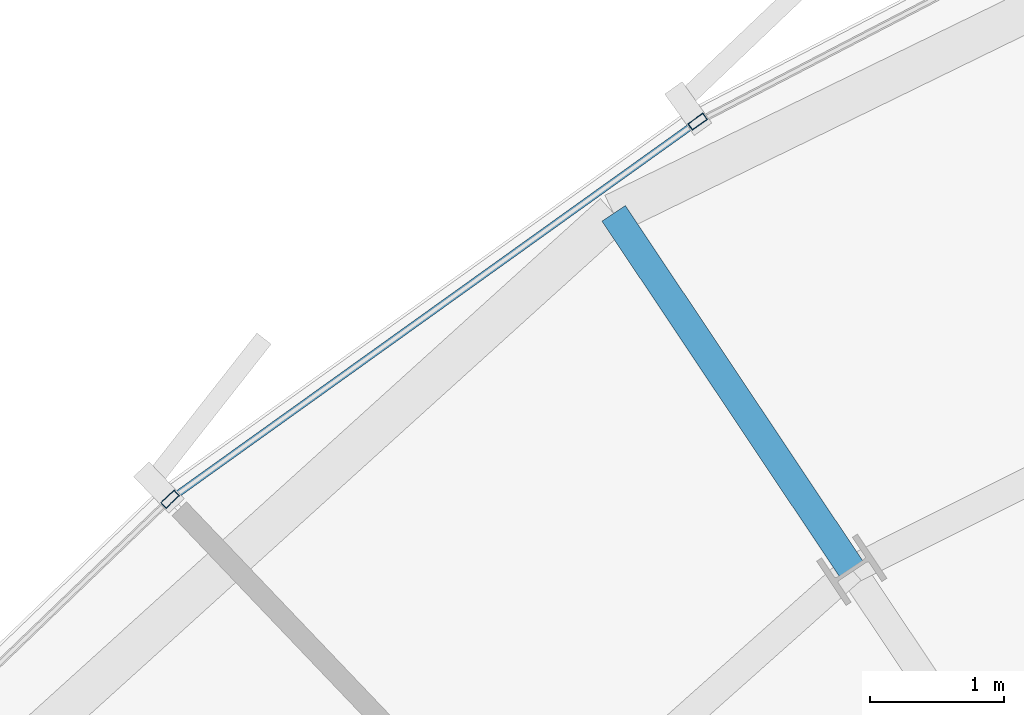
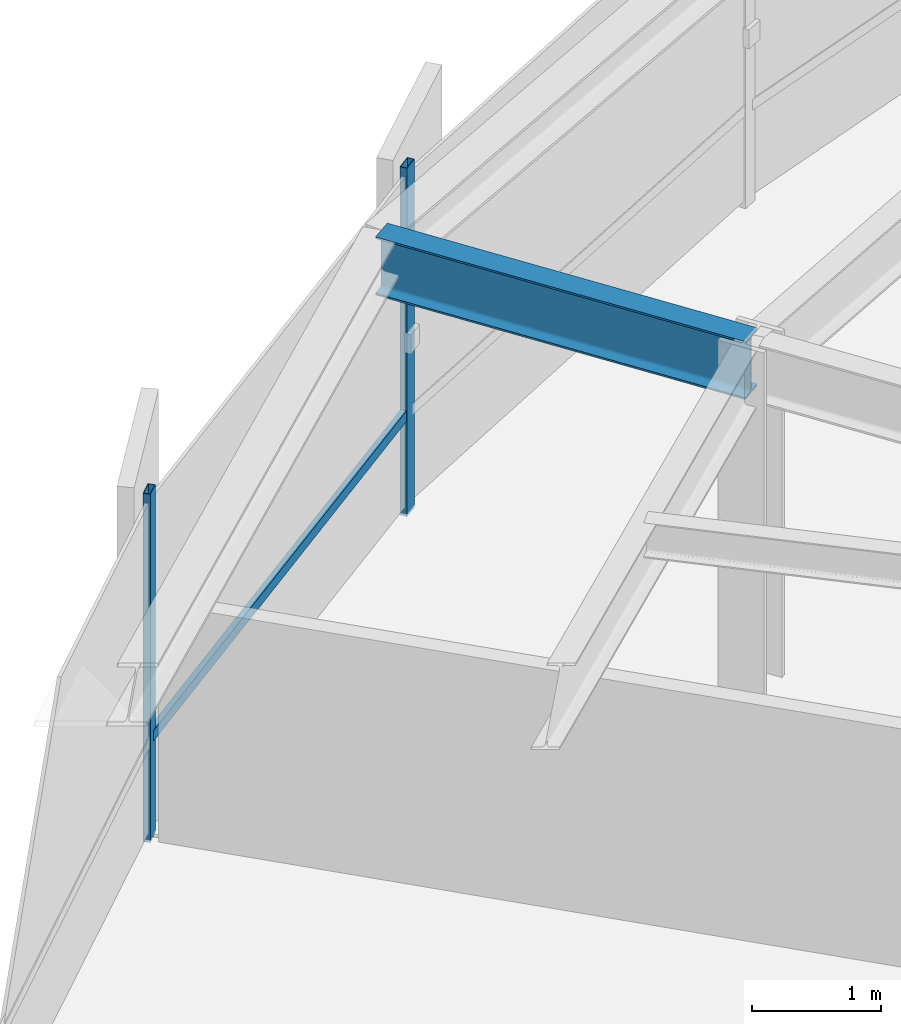
# One storey, part 19 of 32: 3 members, 1 beam, 1 element without a shape of its own.
"""IFC4 building model written with IfcOpenShell, lengths in metres."""

from ifc_helpers import new_model, si_unit, direction, frame, origin, origin_2d, place, context, subcontext, project, spatial, hollow_rectangle, i_section, extrude, source, transform, mapped, material, layer, layer_set, material_profile, profile_set, type_object, element, aggregate, save


model = new_model("IFC4")

# Units and contexts
model_context = context("Model", 3, precision=1e-05, world=origin(), true_north=direction((0.0, 1.0)))
body_context = subcontext(model_context, "Body", "Model", "MODEL_VIEW")
ifc_project = project(units=[si_unit("LENGTHUNIT", "METRE"), si_unit("AREAUNIT", "SQUARE_METRE"), si_unit("VOLUMEUNIT", "CUBIC_METRE"), si_unit("PLANEANGLEUNIT", "RADIAN"), si_unit("MASSUNIT", "GRAM", prefix="KILO"), si_unit("THERMODYNAMICTEMPERATUREUNIT", "KELVIN")], contexts=[model_context])

# Site, building, storey
site_placement = place(None, origin())
site = spatial("IfcSite", under=ifc_project, at=site_placement, CompositionType="ELEMENT")
building_placement = place(site_placement, origin())
building = spatial("IfcBuilding", under=site, at=building_placement, Name="Kethvar Cultural Tower", CompositionType="ELEMENT")
storey_placement = place(building_placement, frame((0.0, 0.0, 160.75)))
storey = spatial("IfcBuildingStorey", under=building, at=storey_placement, Name="L41", CompositionType="ELEMENT", Elevation=160.75)

# Beam
ifc_material_1 = material(Name="Steel S355J2", Category="steel")
ifc_material_profile_1 = material_profile(ifc_material_1, i_section(OverallWidth=0.2099609375, OverallDepth=0.550048828125, WebThickness=0.010986328125, FlangeThickness=0.01708984375, FilletRadius=0.02392578125, at=origin_2d()), Name="Steel S355J2 — IPE550")
ifc_profile_set_1 = profile_set([ifc_material_profile_1], Name="Steel S355J2 — IPE550")
beam_type = type_object("IfcBeamType", Name="BM-IPE550", PredefinedType="BEAM", material=ifc_profile_set_1)
shared_shape_1 = source(origin(), body_context, "Body", "SweptSolid", [
    extrude(i_section(OverallWidth=0.2099609375, OverallDepth=0.550048828125, WebThickness=0.010986328125, FlangeThickness=0.01708984375, FilletRadius=0.02392578125, at=origin_2d()), origin(), (0.0, 0.0, 1.0), 3.2001953125),
])
beam_placement = place(storey_placement, frame((36.0576171875, 43.877197265625, 3.02294921875), z_axis=(-0.555544970406, 0.831486491686, 0.0), x_axis=(-0.831486491686, -0.555544970406, 0.0)))
element("IfcBeam", 1, at=beam_placement, inside=storey, type_object=beam_type, Name="L41 Perimeter Cantilever Beam RC-06", PredefinedType="BEAM", context=body_context, shape_type="MappedRepresentation", body=[
    mapped(shared_shape_1, transform((0.0, 0.0, 0.0), scale=1.0)),
])

# Curtain wall, members
ifc_material_2 = material(Name="Aluminium 6063-T6", Category="aluminium")
ifc_layer = layer(ifc_material_2, 0.179931640625, Name="Aluminium 6063-T6", Category="aluminium")
ifc_layer_set = layer_set([ifc_layer], Name="Aluminium 6063-T6 (180 mm)")
curtain_wall_type = type_object("IfcCurtainWallType", Name="CW-SYS-04-Z34", PredefinedType="NOTDEFINED", material=ifc_layer_set)
curtain_wall_placement = place(storey_placement, origin())
curtain_wall = element("IfcCurtainWall", 2, at=curtain_wall_placement, inside=storey, type_object=curtain_wall_type, Name="L41 Curtain Wall Run 02", PredefinedType="NOTDEFINED")
ifc_material_profile_2 = material_profile(ifc_material_2, hollow_rectangle(XDim=0.06005859375, YDim=0.139892578125, WallThickness=0.0048828125, at=origin_2d()), Name="Aluminium 6063-T6 — RHS140x60x5")
ifc_profile_set_2 = profile_set([ifc_material_profile_2], Name="Aluminium 6063-T6 — RHS140x60x5")
member_type_1 = type_object("IfcMemberType", Name="CW-SYS-04-Z34-MUL", PredefinedType="MULLION", material=ifc_profile_set_2)
shared_shape_2 = source(origin(), body_context, "Body", "SweptSolid", [
    extrude(hollow_rectangle(XDim=0.06005859375, YDim=0.139892578125, WallThickness=0.0048828125, at=origin_2d()), origin(), (0.0, 0.0, 1.0), 3.300048828125),
])
member_1_placement = place(storey_placement, frame((34.906494140625, 47.2236328125, 0.0), z_axis=(0.0, 0.0, 1.0), x_axis=(0.582165543216, -0.813070280045, 0.0)))
member_1 = element("IfcMember", 3, at=member_1_placement, type_object=member_type_1, Name="CW-L41-R02 Mullion 4", PredefinedType="MULLION", context=body_context, shape_type="MappedRepresentation", body=[
    mapped(shared_shape_2, transform((0.0, 0.0, 0.0), scale=1.0)),
])
member_2_placement = place(storey_placement, frame((30.967041015625, 44.404296875, 0.0), z_axis=(0.0, 0.0, 1.0), x_axis=(0.693263479615, -0.720684221995, 0.0)))
member_2 = element("IfcMember", 4, at=member_2_placement, type_object=member_type_1, Name="CW-L41-R02 Mullion 5", PredefinedType="MULLION", context=body_context, shape_type="MappedRepresentation", body=[
    mapped(shared_shape_2, transform((0.0, 0.0, 0.0), scale=1.0)),
])
ifc_material_profile_3 = material_profile(ifc_material_2, hollow_rectangle(XDim=0.050048828125, YDim=0.10009765625, WallThickness=0.00390625, at=origin_2d()), Name="Aluminium 6063-T6 — RHS100x50x4")
ifc_profile_set_3 = profile_set([ifc_material_profile_3], Name="Aluminium 6063-T6 — RHS100x50x4")
member_type_2 = type_object("IfcMemberType", Name="CW-SYS-04-Z34-TRN", PredefinedType="USERDEFINED", material=ifc_profile_set_3)
shared_shape_3 = source(origin(), body_context, "Body", "SweptSolid", [
    extrude(hollow_rectangle(XDim=0.050048828125, YDim=0.10009765625, WallThickness=0.00390625, at=origin_2d()), origin(), (0.0, 0.0, 1.0), 4.77392578125),
])
member_3_placement = place(storey_placement, frame((34.871337890625, 47.198486328125, 0.949951171875), z_axis=(-0.813048716136, -0.582195658856, 0.0), x_axis=(0.582195658856, -0.813048716136, 0.0)))
member_3 = element("IfcMember", 5, at=member_3_placement, type_object=member_type_2, Name="CW-L41-R02 Transom 4", ObjectType="TRANSOM", PredefinedType="USERDEFINED", context=body_context, shape_type="MappedRepresentation", body=[
    mapped(shared_shape_3, transform((0.0, 0.0, 0.0), scale=1.0)),
])
aggregate(curtain_wall, [member_1, member_2, member_3])

save(model, "model.ifc")
